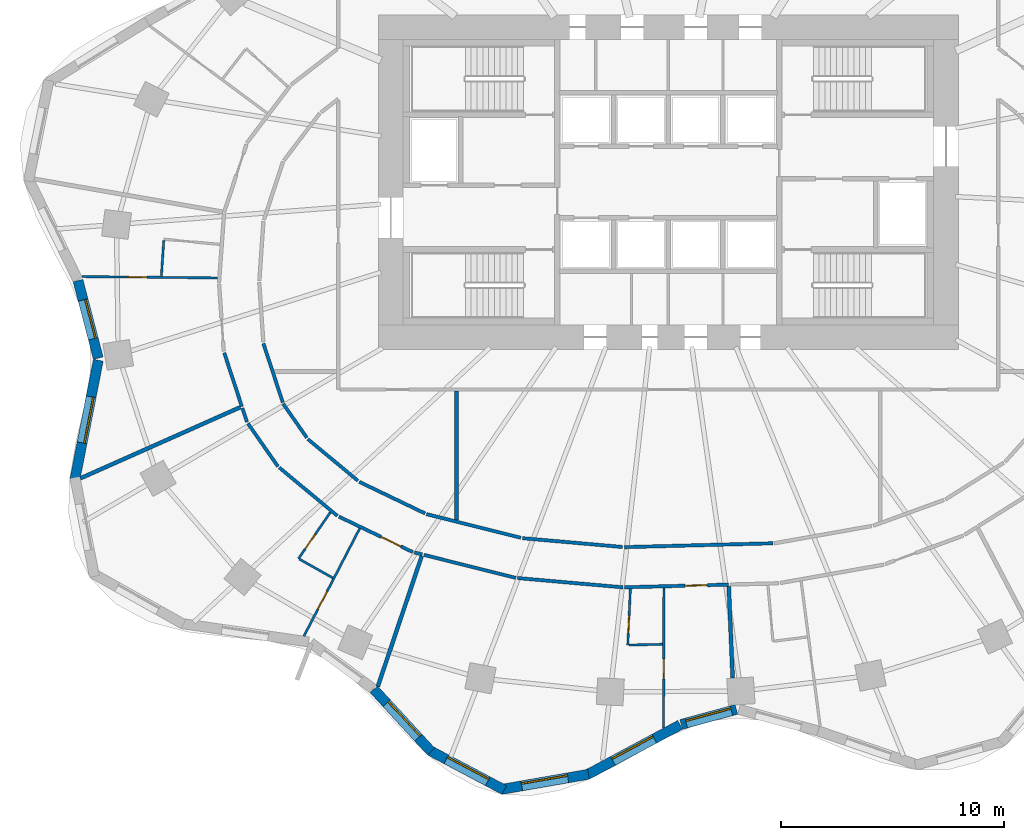
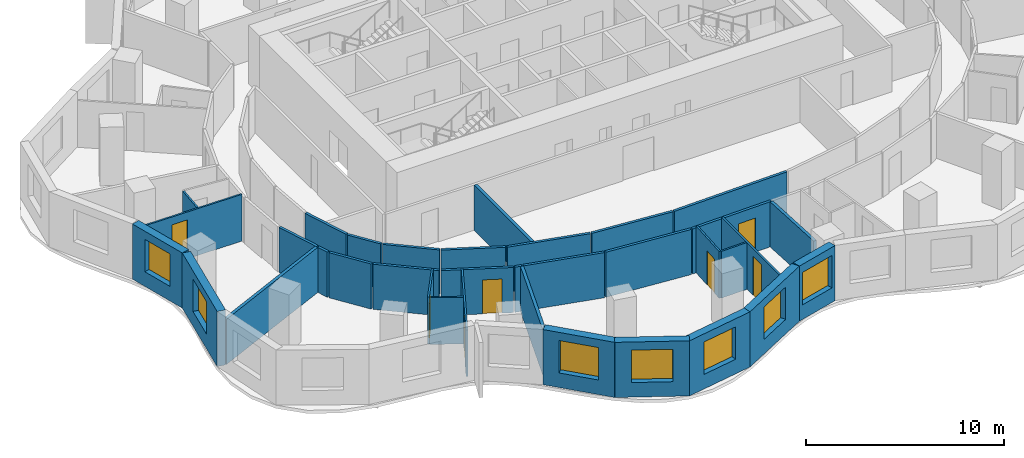
# One storey, part 3 of 10: 35 walls, 7 doors, 7 windows, 14 openings.
"""IFC4 building model written with IfcOpenShell, lengths in metres."""

from ifc_helpers import new_model, si_unit, direction, frame, frame_2d, origin, place, context, subcontext, project, spatial, rectangle, extrude, material, layer, layer_set, type_object, element, fill, save


model = new_model("IFC4")

# Units and contexts
model_context = context("Model", 3, precision=1e-05, world=origin(), true_north=direction((0.0, 1.0)))
body_context = subcontext(model_context, "Body", "Model", "MODEL_VIEW")
ifc_project = project(units=[si_unit("LENGTHUNIT", "METRE"), si_unit("AREAUNIT", "SQUARE_METRE"), si_unit("VOLUMEUNIT", "CUBIC_METRE"), si_unit("PLANEANGLEUNIT", "RADIAN"), si_unit("MASSUNIT", "GRAM", prefix="KILO")], contexts=[model_context])

# Site, building, storey
site_placement = place(None, origin())
site = spatial("IfcSite", under=ifc_project, at=site_placement, CompositionType="ELEMENT")
building_placement = place(site_placement, origin())
building = spatial("IfcBuilding", under=site, at=building_placement, Name="Rubra Terraces Tower", CompositionType="ELEMENT")
storey_placement = place(building_placement, frame((0.0, 0.0, 92.39990234375)))
storey = spatial("IfcBuildingStorey", under=building, at=storey_placement, Name="L21", CompositionType="ELEMENT", Elevation=92.39990234375)

# Walls
ifc_material_1 = material(Name="Twin plasterboard on staggered steel stud, acoustic mineral wool", Category="steel")
ifc_layer_1 = layer(ifc_material_1, 0.175048828125)
ifc_layer_set_1 = layer_set([ifc_layer_1], Name="Twin plasterboard on staggered steel stud, acoustic mineral wool")
wall_type_1 = type_object("IfcWallType", Name="ACOUSTIC PARTY WALL 175", PredefinedType="PARTITIONING", material=ifc_layer_set_1)
wall_1_placement = place(storey_placement, frame((-26.3671875, -8.789306640625, 0.0), z_axis=(0.0, 0.0, 1.0), x_axis=(0.913674334345, 0.406447057756, 0.0)))
element("IfcWall", 1, at=wall_1_placement, inside=storey, type_object=wall_type_1, Name="PARTITION", PredefinedType="PARTITIONING", context=body_context, shape_type="SweptSolid", body=[
    extrude(rectangle(XDim=7.853759765625, YDim=0.175048828125, at=frame_2d((3.9267578125, 0.0))), origin(), (0.0, 0.0, 1.0), 2.7841796875),
])
wall_2_placement = place(storey_placement, frame((-13.024169921875, -18.112060546875, 0.0), z_axis=(0.0, 0.0, 1.0), x_axis=(0.319078434674, 0.947728311556, 0.0)))
element("IfcWall", 2, at=wall_2_placement, inside=storey, type_object=wall_type_1, Name="PARTITION", PredefinedType="PARTITIONING", context=body_context, shape_type="SweptSolid", body=[
    extrude(rectangle(XDim=6.163330078125, YDim=0.175048828125, at=frame_2d((3.08154296875, 0.0))), origin(), (0.0, 0.0, 1.0), 2.7841796875),
])
wall_3_placement = place(storey_placement, frame((2.88232421875, -17.732177734375, 0.0), z_axis=(0.0, 0.0, 1.0), x_axis=(-0.042001196053, 0.999117560415, 0.0)))
element("IfcWall", 3, at=wall_3_placement, inside=storey, type_object=wall_type_1, Name="PARTITION", PredefinedType="PARTITIONING", context=body_context, shape_type="SweptSolid", body=[
    extrude(rectangle(XDim=4.109619140625, YDim=0.175048828125, at=frame_2d((2.0546875, 0.0))), origin(), (0.0, 0.0, 1.0), 2.7841796875),
])
wall_4_placement = place(storey_placement, frame((-9.5, -10.653564453125, 0.0), z_axis=(0.0, 0.0, 1.0), x_axis=(0.0, 1.0, 0.0)))
element("IfcWall", 4, at=wall_4_placement, inside=storey, type_object=wall_type_1, Name="PARTITION", PredefinedType="PARTITIONING", context=body_context, shape_type="SweptSolid", body=[
    extrude(rectangle(XDim=5.778564453125, YDim=0.175048828125, at=frame_2d((2.88916015625, 0.0))), origin(), (0.0, 0.0, 1.0), 2.7841796875),
])

# Wall, opening, window
ifc_material_2 = material(Name="Brick masonry red-brown", Category="masonry")
ifc_layer_2 = layer(ifc_material_2, 0.449951171875)
ifc_layer_set_2 = layer_set([ifc_layer_2], Name="Brick masonry red-brown")
wall_type_2 = type_object("IfcWallType", Name="Brick facade wall 450", PredefinedType="SOLIDWALL", material=ifc_layer_set_2)
wall_5_placement = place(storey_placement, frame((-26.469482421875, 0.0791015625, 0.0), z_axis=(0.0, 0.0, 1.0), x_axis=(0.252446779859, -0.967610780913, 0.0)))
wall_5 = element("IfcWall", 5, at=wall_5_placement, inside=storey, type_object=wall_type_2, Name="Facade wall L21 bay 21", PredefinedType="SOLIDWALL", context=body_context, shape_type="SweptSolid", body=[
    extrude(rectangle(XDim=3.5947265625, YDim=0.449951171875, at=frame_2d((1.79736328125, 0.0))), origin(), (0.0, 0.0, 1.0), 3.400146484375),
])
opening_1_placement = place(wall_5_placement, frame((0.897216796875, 0.0, 0.89990234375)))
opening_1 = element("IfcOpeningElement", 6, at=opening_1_placement, cuts=wall_5, Name="Opening W6", PredefinedType="OPENING", context=body_context, shape_type="SweptSolid", body=[
    extrude(rectangle(XDim=1.800048828125, YDim=2.0, at=frame_2d((0.89990234375, 1.0))), frame((0.0, 0.23486328125, 0.0), z_axis=(0.0, -1.0, 0.0), x_axis=(1.0, 0.0, 0.0)), (0.0, 0.0, 1.0), 0.469970703125),
])
ifc_material_3 = material(Name="Clear glass in aluminium frame", Category="aluminium")
window_type_1 = type_object("IfcWindowType", Name="Fixed deep-set window at wind fin 1800 x 2000", PartitioningType="SINGLE_PANEL", PredefinedType="WINDOW", material=ifc_material_3)
window_1_placement = place(opening_1_placement, origin())
window_1 = element("IfcWindow", 7, at=window_1_placement, inside=storey, type_object=window_type_1, Name="Window L21 bay 21", OverallHeight=2.0, OverallWidth=1.800048828125, PartitioningType="SINGLE_PANEL", PredefinedType="WINDOW", context=body_context, shape_type="SweptSolid", body=[
    extrude(rectangle(XDim=1.800048828125, YDim=2.0, at=frame_2d((0.89990234375, 1.0))), frame((0.0, 0.135009765625, 0.0), z_axis=(0.0, -1.0, 0.0), x_axis=(1.0, 0.0, 0.0)), (0.0, 0.0, 1.0), 0.06005859375),
])
fill(opening_1, window_1)

wall_6_placement = place(storey_placement, frame((-25.561279296875, -3.490478515625, 0.0), z_axis=(0.0, 0.0, 1.0), x_axis=(-0.192494026297, -0.981298145234, 0.0)))
wall_6 = element("IfcWall", 8, at=wall_6_placement, inside=storey, type_object=wall_type_2, Name="Facade wall L21 bay 22", PredefinedType="SOLIDWALL", context=body_context, shape_type="SweptSolid", body=[
    extrude(rectangle(XDim=5.446044921875, YDim=0.449951171875, at=frame_2d((2.72314453125, 0.0))), origin(), (0.0, 0.0, 1.0), 3.400146484375),
])
opening_2_placement = place(wall_6_placement, frame((1.673095703125, 0.0, 0.89990234375)))
opening_2 = element("IfcOpeningElement", 9, at=opening_2_placement, cuts=wall_6, Name="Opening W1", PredefinedType="OPENING", context=body_context, shape_type="SweptSolid", body=[
    extrude(rectangle(XDim=2.10009765625, YDim=2.0, at=frame_2d((1.050048828125, 1.0))), frame((0.0, 0.23486328125, 0.0), z_axis=(0.0, -1.0, 0.0), x_axis=(1.0, 0.0, 0.0)), (0.0, 0.0, 1.0), 0.469970703125),
])
window_type_2 = type_object("IfcWindowType", Name="Fixed deep-set window 2100 x 2000", PartitioningType="SINGLE_PANEL", PredefinedType="WINDOW", material=ifc_material_3)
window_2_placement = place(opening_2_placement, origin())
window_2 = element("IfcWindow", 10, at=window_2_placement, inside=storey, type_object=window_type_2, Name="Window L21 bay 22", OverallHeight=2.0, OverallWidth=2.10009765625, PartitioningType="SINGLE_PANEL", PredefinedType="WINDOW", context=body_context, shape_type="SweptSolid", body=[
    extrude(rectangle(XDim=2.10009765625, YDim=2.0, at=frame_2d((1.050048828125, 1.0))), frame((0.0, 0.135009765625, 0.0), z_axis=(0.0, -1.0, 0.0), x_axis=(1.0, 0.0, 0.0)), (0.0, 0.0, 1.0), 0.06005859375),
])
fill(opening_2, window_2)

wall_7_placement = place(storey_placement, frame((-13.20947265625, -18.242919921875, 0.0), z_axis=(0.0, 0.0, 1.0), x_axis=(0.677612152497, -0.735419452278, 0.0)))
wall_7 = element("IfcWall", 11, at=wall_7_placement, inside=storey, type_object=wall_type_2, Name="Facade wall L21 bay 27", PredefinedType="SOLIDWALL", context=body_context, shape_type="SweptSolid", body=[
    extrude(rectangle(XDim=3.796875, YDim=0.449951171875, at=frame_2d((1.8984375, 0.0))), origin(), (0.0, 0.0, 1.0), 3.400146484375),
])
opening_3_placement = place(wall_7_placement, frame((0.848388671875, 0.0, 0.89990234375)))
opening_3 = element("IfcOpeningElement", 12, at=opening_3_placement, cuts=wall_7, Name="Opening W1", PredefinedType="OPENING", context=body_context, shape_type="SweptSolid", body=[
    extrude(rectangle(XDim=2.10009765625, YDim=2.0, at=frame_2d((1.050048828125, 1.0))), frame((0.0, 0.23486328125, 0.0), z_axis=(0.0, -1.0, 0.0), x_axis=(1.0, 0.0, 0.0)), (0.0, 0.0, 1.0), 0.469970703125),
])
window_3_placement = place(opening_3_placement, origin())
window_3 = element("IfcWindow", 13, at=window_3_placement, inside=storey, type_object=window_type_2, Name="Window L21 bay 27", OverallHeight=2.0, OverallWidth=2.10009765625, PartitioningType="SINGLE_PANEL", PredefinedType="WINDOW", context=body_context, shape_type="SweptSolid", body=[
    extrude(rectangle(XDim=2.10009765625, YDim=2.0, at=frame_2d((1.050048828125, 1.0))), frame((0.0, 0.135009765625, 0.0), z_axis=(0.0, -1.0, 0.0), x_axis=(1.0, 0.0, 0.0)), (0.0, 0.0, 1.0), 0.06005859375),
])
fill(opening_3, window_3)

wall_8_placement = place(storey_placement, frame((-10.692626953125, -20.9931640625, 0.0), z_axis=(0.0, 0.0, 1.0), x_axis=(0.883817790726, -0.46783128668, 0.0)))
wall_8 = element("IfcWall", 14, at=wall_8_placement, inside=storey, type_object=wall_type_2, Name="Facade wall L21 bay 28", PredefinedType="SOLIDWALL", context=body_context, shape_type="SweptSolid", body=[
    extrude(rectangle(XDim=3.776611328125, YDim=0.449951171875, at=frame_2d((1.88818359375, 0.0))), origin(), (0.0, 0.0, 1.0), 3.400146484375),
])
opening_4_placement = place(wall_8_placement, frame((0.83837890625, 0.0, 0.89990234375)))
opening_4 = element("IfcOpeningElement", 15, at=opening_4_placement, cuts=wall_8, Name="Opening W1", PredefinedType="OPENING", context=body_context, shape_type="SweptSolid", body=[
    extrude(rectangle(XDim=2.10009765625, YDim=2.0, at=frame_2d((1.050048828125, 1.0))), frame((0.0, 0.23486328125, 0.0), z_axis=(0.0, -1.0, 0.0), x_axis=(1.0, 0.0, 0.0)), (0.0, 0.0, 1.0), 0.469970703125),
])
window_4_placement = place(opening_4_placement, origin())
window_4 = element("IfcWindow", 16, at=window_4_placement, inside=storey, type_object=window_type_2, Name="Window L21 bay 28", OverallHeight=2.0, OverallWidth=2.10009765625, PartitioningType="SINGLE_PANEL", PredefinedType="WINDOW", context=body_context, shape_type="SweptSolid", body=[
    extrude(rectangle(XDim=2.10009765625, YDim=2.0, at=frame_2d((1.050048828125, 1.0))), frame((0.0, 0.135009765625, 0.0), z_axis=(0.0, -1.0, 0.0), x_axis=(1.0, 0.0, 0.0)), (0.0, 0.0, 1.0), 0.06005859375),
])
fill(opening_4, window_4)

wall_9_placement = place(storey_placement, frame((-7.49853515625, -22.7373046875, 0.0), z_axis=(0.0, 0.0, 1.0), x_axis=(0.98521220506, 0.171338585849, 0.0)))
wall_9 = element("IfcWall", 17, at=wall_9_placement, inside=storey, type_object=wall_type_2, Name="Facade wall L21 bay 29", PredefinedType="SOLIDWALL", context=body_context, shape_type="SweptSolid", body=[
    extrude(rectangle(XDim=3.979736328125, YDim=0.449951171875, at=frame_2d((1.98974609375, 0.0))), origin(), (0.0, 0.0, 1.0), 3.400146484375),
])
opening_5_placement = place(wall_9_placement, frame((0.93994140625, 0.0, 0.89990234375)))
opening_5 = element("IfcOpeningElement", 18, at=opening_5_placement, cuts=wall_9, Name="Opening W1", PredefinedType="OPENING", context=body_context, shape_type="SweptSolid", body=[
    extrude(rectangle(XDim=2.10009765625, YDim=2.0, at=frame_2d((1.050048828125, 1.0))), frame((0.0, 0.23486328125, 0.0), z_axis=(0.0, -1.0, 0.0), x_axis=(1.0, 0.0, 0.0)), (0.0, 0.0, 1.0), 0.469970703125),
])
window_5_placement = place(opening_5_placement, origin())
window_5 = element("IfcWindow", 19, at=window_5_placement, inside=storey, type_object=window_type_2, Name="Window L21 bay 29", OverallHeight=2.0, OverallWidth=2.10009765625, PartitioningType="SINGLE_PANEL", PredefinedType="WINDOW", context=body_context, shape_type="SweptSolid", body=[
    extrude(rectangle(XDim=2.10009765625, YDim=2.0, at=frame_2d((1.050048828125, 1.0))), frame((0.0, 0.135009765625, 0.0), z_axis=(0.0, -1.0, 0.0), x_axis=(1.0, 0.0, 0.0)), (0.0, 0.0, 1.0), 0.06005859375),
])
fill(opening_5, window_5)

wall_10_placement = place(storey_placement, frame((-3.6455078125, -22.07861328125, 0.0), z_axis=(0.0, 0.0, 1.0), x_axis=(0.881279133897, 0.472596115259, 0.0)))
wall_10 = element("IfcWall", 20, at=wall_10_placement, inside=storey, type_object=wall_type_2, Name="Facade wall L21 bay 30", PredefinedType="SOLIDWALL", context=body_context, shape_type="SweptSolid", body=[
    extrude(rectangle(XDim=4.736572265625, YDim=0.449951171875, at=frame_2d((2.3681640625, 0.0))), origin(), (0.0, 0.0, 1.0), 3.400146484375),
])
opening_6_placement = place(wall_10_placement, frame((1.318115234375, 0.0, 0.89990234375)))
opening_6 = element("IfcOpeningElement", 21, at=opening_6_placement, cuts=wall_10, Name="Opening W1", PredefinedType="OPENING", context=body_context, shape_type="SweptSolid", body=[
    extrude(rectangle(XDim=2.10009765625, YDim=2.0, at=frame_2d((1.050048828125, 1.0))), frame((0.0, 0.23486328125, 0.0), z_axis=(0.0, -1.0, 0.0), x_axis=(1.0, 0.0, 0.0)), (0.0, 0.0, 1.0), 0.469970703125),
])
window_6_placement = place(opening_6_placement, origin())
window_6 = element("IfcWindow", 22, at=window_6_placement, inside=storey, type_object=window_type_2, Name="Window L21 bay 30", OverallHeight=2.0, OverallWidth=2.10009765625, PartitioningType="SINGLE_PANEL", PredefinedType="WINDOW", context=body_context, shape_type="SweptSolid", body=[
    extrude(rectangle(XDim=2.10009765625, YDim=2.0, at=frame_2d((1.050048828125, 1.0))), frame((0.0, 0.135009765625, 0.0), z_axis=(0.0, -1.0, 0.0), x_axis=(1.0, 0.0, 0.0)), (0.0, 0.0, 1.0), 0.06005859375),
])
fill(opening_6, window_6)

wall_11_placement = place(storey_placement, frame((0.576171875, -19.8212890625, 0.0), z_axis=(0.0, 0.0, 1.0), x_axis=(0.965009398019, 0.262215296532, 0.0)))
wall_11 = element("IfcWall", 23, at=wall_11_placement, inside=storey, type_object=wall_type_2, Name="Facade wall L21 bay 31", PredefinedType="SOLIDWALL", context=body_context, shape_type="SweptSolid", body=[
    extrude(rectangle(XDim=2.565185546875, YDim=0.449951171875, at=frame_2d((1.28271484375, 0.0))), origin(), (0.0, 0.0, 1.0), 3.400146484375),
])
opening_7_placement = place(wall_11_placement, frame((0.232666015625, 0.0, 0.89990234375)))
opening_7 = element("IfcOpeningElement", 24, at=opening_7_placement, cuts=wall_11, Name="Opening W1", PredefinedType="OPENING", context=body_context, shape_type="SweptSolid", body=[
    extrude(rectangle(XDim=2.10009765625, YDim=2.0, at=frame_2d((1.050048828125, 1.0))), frame((0.0, 0.23486328125, 0.0), z_axis=(0.0, -1.0, 0.0), x_axis=(1.0, 0.0, 0.0)), (0.0, 0.0, 1.0), 0.469970703125),
])
window_7_placement = place(opening_7_placement, origin())
window_7 = element("IfcWindow", 25, at=window_7_placement, inside=storey, type_object=window_type_2, Name="Window L21 bay 31", OverallHeight=2.0, OverallWidth=2.10009765625, PartitioningType="SINGLE_PANEL", PredefinedType="WINDOW", context=body_context, shape_type="SweptSolid", body=[
    extrude(rectangle(XDim=2.10009765625, YDim=2.0, at=frame_2d((1.050048828125, 1.0))), frame((0.0, 0.135009765625, 0.0), z_axis=(0.0, -1.0, 0.0), x_axis=(1.0, 0.0, 0.0)), (0.0, 0.0, 1.0), 0.06005859375),
])
fill(opening_7, window_7)

# Walls
ifc_material_4 = material(Name="Plasterboard on steel stud, mineral wool infill", Category="steel")
ifc_layer_3 = layer(ifc_material_4, 0.14990234375)
ifc_layer_set_3 = layer_set([ifc_layer_3], Name="Plasterboard on steel stud, mineral wool infill")
wall_type_3 = type_object("IfcWallType", Name="CORRIDOR PARTITION 150", PredefinedType="PARTITIONING", material=ifc_layer_set_3)
wall_12_placement = place(storey_placement, frame((-19.914306640625, -3.15673828125, 0.0), z_axis=(0.0, 0.0, 1.0), x_axis=(0.312037873477, -0.950069663507, 0.0)))
element("IfcWall", 26, at=wall_12_placement, inside=storey, type_object=wall_type_3, Name="PARTITION", PredefinedType="PARTITIONING", context=body_context, shape_type="SweptSolid", body=[
    extrude(rectangle(XDim=2.53662109375, YDim=0.14990234375, at=frame_2d((1.268310546875, 0.0))), origin(), (0.0, 0.0, 1.0), 2.7841796875),
])
wall_13_placement = place(storey_placement, frame((-19.099365234375, -5.637939453125, 0.0), z_axis=(0.0, 0.0, 1.0), x_axis=(0.312220223489, -0.950009753657, 0.0)))
element("IfcWall", 27, at=wall_13_placement, inside=storey, type_object=wall_type_3, Name="PARTITION", PredefinedType="PARTITIONING", context=body_context, shape_type="SweptSolid", body=[
    extrude(rectangle(XDim=0.658447265625, YDim=0.14990234375, at=frame_2d((0.3291015625, 0.0))), origin(), (0.0, 0.0, 1.0), 2.7841796875),
])
wall_14_placement = place(storey_placement, frame((-18.85107421875, -6.324951171875, 0.0), z_axis=(0.0, 0.0, 1.0), x_axis=(0.572090775968, -0.820190309656, 0.0)))
element("IfcWall", 28, at=wall_14_placement, inside=storey, type_object=wall_type_3, Name="PARTITION", PredefinedType="PARTITIONING", context=body_context, shape_type="SweptSolid", body=[
    extrude(rectangle(XDim=2.354736328125, YDim=0.14990234375, at=frame_2d((1.17724609375, 0.0))), origin(), (0.0, 0.0, 1.0), 2.7841796875),
])
wall_15_placement = place(storey_placement, frame((-17.4462890625, -8.30419921875, 0.0), z_axis=(0.0, 0.0, 1.0), x_axis=(0.769200174495, -0.639007896318, 0.0)))
element("IfcWall", 29, at=wall_15_placement, inside=storey, type_object=wall_type_3, Name="PARTITION", PredefinedType="PARTITIONING", context=body_context, shape_type="SweptSolid", body=[
    extrude(rectangle(XDim=3.390380859375, YDim=0.14990234375, at=frame_2d((1.6953125, 0.0))), origin(), (0.0, 0.0, 1.0), 2.7841796875),
])

# Wall, opening, door
wall_16_placement = place(storey_placement, frame((-14.77099609375, -10.50341796875, 0.0), z_axis=(0.0, 0.0, 1.0), x_axis=(0.901503349553, -0.432772123346, 0.0)))
wall_16 = element("IfcWall", 30, at=wall_16_placement, inside=storey, type_object=wall_type_3, Name="PARTITION", PredefinedType="PARTITIONING", context=body_context, shape_type="SweptSolid", body=[
    extrude(rectangle(XDim=3.673095703125, YDim=0.14990234375, at=frame_2d((1.83642578125, 0.0))), origin(), (0.0, 0.0, 1.0), 2.7841796875),
])
opening_8_placement = place(wall_16_placement, frame((2.092041015625, 0.0, 0.0)))
opening_8 = element("IfcOpeningElement", 31, at=opening_8_placement, cuts=wall_16, Name="Opening 21-114", PredefinedType="OPENING", context=body_context, shape_type="SweptSolid", body=[
    extrude(rectangle(XDim=1.0, YDim=2.10009765625, at=frame_2d((0.5, 1.050048828125))), frame((0.0, 0.0849609375, 0.0), z_axis=(0.0, -1.0, 0.0), x_axis=(1.0, 0.0, 0.0)), (0.0, 0.0, 1.0), 0.169921875),
])
ifc_material_5 = material(Name="Painted timber door leaf", Category="wood")
door_type_1 = type_object("IfcDoorType", Name="ROOM DOOR 1000 X 2100", OperationType="SINGLE_SWING_LEFT", PredefinedType="DOOR", material=ifc_material_5)
door_1_placement = place(opening_8_placement, origin())
door_1 = element("IfcDoor", 32, at=door_1_placement, inside=storey, type_object=door_type_1, Name="DOOR 21-114", OperationType="SINGLE_SWING_RIGHT", OverallHeight=2.10009765625, OverallWidth=1.0, PredefinedType="DOOR", context=body_context, shape_type="SweptSolid", body=[
    extrude(rectangle(XDim=1.0, YDim=2.10009765625, at=frame_2d((0.5, 1.050048828125))), frame((0.0, 0.02490234375, 0.0), z_axis=(0.0, -1.0, 0.0), x_axis=(1.0, 0.0, 0.0)), (0.0, 0.0, 1.0), 0.050048828125),
])
fill(opening_8, door_1)

# Walls
wall_17_placement = place(storey_placement, frame((-11.386962890625, -12.111328125, 0.0), z_axis=(0.0, 0.0, 1.0), x_axis=(0.969945028314, -0.243324150157, 0.0)))
element("IfcWall", 33, at=wall_17_placement, inside=storey, type_object=wall_type_3, Name="PARTITION", PredefinedType="PARTITIONING", context=body_context, shape_type="SweptSolid", body=[
    extrude(rectangle(XDim=0.3642578125, YDim=0.14990234375, at=frame_2d((0.18212890625, 0.0))), origin(), (0.0, 0.0, 1.0), 2.7841796875),
])
wall_18_placement = place(storey_placement, frame((-10.961181640625, -12.218017578125, 0.0), z_axis=(0.0, 0.0, 1.0), x_axis=(0.969990045386, -0.243144631551, 0.0)))
element("IfcWall", 34, at=wall_18_placement, inside=storey, type_object=wall_type_3, Name="PARTITION", PredefinedType="PARTITIONING", context=body_context, shape_type="SweptSolid", body=[
    extrude(rectangle(XDim=4.244384765625, YDim=0.14990234375, at=frame_2d((2.1220703125, 0.0))), origin(), (0.0, 0.0, 1.0), 2.7841796875),
])
wall_19_placement = place(storey_placement, frame((-6.76953125, -13.256591796875, 0.0), z_axis=(0.0, 0.0, 1.0), x_axis=(0.996139758015, -0.08778144737, 0.0)))
element("IfcWall", 35, at=wall_19_placement, inside=storey, type_object=wall_type_3, Name="PARTITION", PredefinedType="PARTITIONING", context=body_context, shape_type="SweptSolid", body=[
    extrude(rectangle(XDim=4.755859375, YDim=0.14990234375, at=frame_2d((2.3779296875, 0.0))), origin(), (0.0, 0.0, 1.0), 2.7841796875),
])

# Wall, opening, door
wall_20_placement = place(storey_placement, frame((-1.95703125, -13.672119140625, 0.0), z_axis=(0.0, 0.0, 1.0), x_axis=(0.999664413823, 0.025904820691, 0.0)))
wall_20 = element("IfcWall", 36, at=wall_20_placement, inside=storey, type_object=wall_type_3, Name="PARTITION", PredefinedType="PARTITIONING", context=body_context, shape_type="SweptSolid", body=[
    extrude(rectangle(XDim=4.6650390625, YDim=0.14990234375, at=frame_2d((2.33251953125, 0.0))), origin(), (0.0, 0.0, 1.0), 2.7841796875),
])
opening_9_placement = place(wall_20_placement, frame((2.7119140625, 0.0, 0.0)))
opening_9 = element("IfcOpeningElement", 37, at=opening_9_placement, cuts=wall_20, Name="Opening 21-117", PredefinedType="OPENING", context=body_context, shape_type="SweptSolid", body=[
    extrude(rectangle(XDim=1.0, YDim=2.10009765625, at=frame_2d((0.5, 1.050048828125))), frame((0.0, 0.0849609375, 0.0), z_axis=(0.0, -1.0, 0.0), x_axis=(1.0, 0.0, 0.0)), (0.0, 0.0, 1.0), 0.169921875),
])
door_2_placement = place(opening_9_placement, origin())
door_2 = element("IfcDoor", 38, at=door_2_placement, inside=storey, type_object=door_type_1, Name="DOOR 21-117", OperationType="SINGLE_SWING_RIGHT", OverallHeight=2.10009765625, OverallWidth=1.0, PredefinedType="DOOR", context=body_context, shape_type="SweptSolid", body=[
    extrude(rectangle(XDim=1.0, YDim=2.10009765625, at=frame_2d((0.5, 1.050048828125))), frame((0.0, 0.02490234375, 0.0), z_axis=(0.0, -1.0, 0.0), x_axis=(1.0, 0.0, 0.0)), (0.0, 0.0, 1.0), 0.050048828125),
])
fill(opening_9, door_2)

# Walls
wall_21_placement = place(storey_placement, frame((4.684326171875, -11.69921875, 0.0), z_axis=(0.0, 0.0, 1.0), x_axis=(-0.999663438204, -0.025942442425, 0.0)))
element("IfcWall", 39, at=wall_21_placement, inside=storey, type_object=wall_type_3, Name="PARTITION", PredefinedType="PARTITIONING", context=body_context, shape_type="SweptSolid", body=[
    extrude(rectangle(XDim=6.662841796875, YDim=0.14990234375, at=frame_2d((3.33154296875, 0.0))), origin(), (0.0, 0.0, 1.0), 2.7841796875),
])
wall_22_placement = place(storey_placement, frame((-2.05078125, -11.865478515625, 0.0), z_axis=(0.0, 0.0, 1.0), x_axis=(-0.996139599493, 0.087783246245, 0.0)))
element("IfcWall", 40, at=wall_22_placement, inside=storey, type_object=wall_type_3, Name="PARTITION", PredefinedType="PARTITIONING", context=body_context, shape_type="SweptSolid", body=[
    extrude(rectangle(XDim=4.510986328125, YDim=0.14990234375, at=frame_2d((2.25537109375, 0.0))), origin(), (0.0, 0.0, 1.0), 2.7841796875),
])
wall_23_placement = place(storey_placement, frame((-6.6171875, -11.451416015625, 0.0), z_axis=(0.0, 0.0, 1.0), x_axis=(-0.969987441267, 0.243155020069, 0.0)))
element("IfcWall", 41, at=wall_23_placement, inside=storey, type_object=wall_type_3, Name="PARTITION", PredefinedType="PARTITIONING", context=body_context, shape_type="SweptSolid", body=[
    extrude(rectangle(XDim=4.358642578125, YDim=0.14990234375, at=frame_2d((2.17919921875, 0.0))), origin(), (0.0, 0.0, 1.0), 2.7841796875),
])
wall_24_placement = place(storey_placement, frame((-10.91259765625, -10.35888671875, 0.0), z_axis=(0.0, 0.0, 1.0), x_axis=(-0.90149741277, 0.432784489982, 0.0)))
element("IfcWall", 42, at=wall_24_placement, inside=storey, type_object=wall_type_3, Name="PARTITION", PredefinedType="PARTITIONING", context=body_context, shape_type="SweptSolid", body=[
    extrude(rectangle(XDim=3.2685546875, YDim=0.14990234375, at=frame_2d((1.63427734375, 0.0))), origin(), (0.0, 0.0, 1.0), 2.7841796875),
])
wall_25_placement = place(storey_placement, frame((-13.916748046875, -8.896484375, 0.0), z_axis=(0.0, 0.0, 1.0), x_axis=(-0.769130409479, 0.639091866021, 0.0)))
element("IfcWall", 43, at=wall_25_placement, inside=storey, type_object=wall_type_3, Name="PARTITION", PredefinedType="PARTITIONING", context=body_context, shape_type="SweptSolid", body=[
    extrude(rectangle(XDim=2.925048828125, YDim=0.14990234375, at=frame_2d((1.46240234375, 0.0))), origin(), (0.0, 0.0, 1.0), 2.7841796875),
])
wall_26_placement = place(storey_placement, frame((-16.20947265625, -6.9658203125, 0.0), z_axis=(0.0, 0.0, 1.0), x_axis=(-0.572051367607, 0.820217795966, 0.0)))
element("IfcWall", 44, at=wall_26_placement, inside=storey, type_object=wall_type_3, Name="PARTITION", PredefinedType="PARTITIONING", context=body_context, shape_type="SweptSolid", body=[
    extrude(rectangle(XDim=1.84765625, YDim=0.14990234375, at=frame_2d((0.923828125, 0.0))), origin(), (0.0, 0.0, 1.0), 2.7841796875),
])
wall_27_placement = place(storey_placement, frame((-17.289794921875, -5.379150390625, 0.0), z_axis=(0.0, 0.0, 1.0), x_axis=(-0.312009486843, 0.950078986253, 0.0)))
element("IfcWall", 45, at=wall_27_placement, inside=storey, type_object=wall_type_3, Name="PARTITION", PredefinedType="PARTITIONING", context=body_context, shape_type="SweptSolid", body=[
    extrude(rectangle(XDim=2.780029296875, YDim=0.14990234375, at=frame_2d((1.39013671875, 0.0))), origin(), (0.0, 0.0, 1.0), 2.7841796875),
])

# Wall, opening, door
ifc_material_6 = material(Name="Plasterboard on steel stud", Category="steel")
ifc_layer_4 = layer(ifc_material_6, 0.10009765625)
ifc_layer_set_4 = layer_set([ifc_layer_4], Name="Plasterboard on steel stud")
wall_type_4 = type_object("IfcWallType", Name="ROOM PARTITION 100", PredefinedType="PARTITIONING", material=ifc_layer_set_4)
wall_28_placement = place(storey_placement, frame((-26.300537109375, 0.26025390625, 0.0), z_axis=(0.0, 0.0, 1.0), x_axis=(0.999951380923, -0.009860820962, 0.0)))
wall_28 = element("IfcWall", 46, at=wall_28_placement, inside=storey, type_object=wall_type_4, Name="PARTITION", PredefinedType="PARTITIONING", context=body_context, shape_type="SweptSolid", body=[
    extrude(rectangle(XDim=6.090576171875, YDim=0.10009765625, at=frame_2d((3.04541015625, 0.0))), origin(), (0.0, 0.0, 1.0), 2.884033203125),
])
opening_10_placement = place(wall_28_placement, frame((2.01611328125, 0.0, 0.0)))
opening_10 = element("IfcOpeningElement", 47, at=opening_10_placement, cuts=wall_28, Name="Opening 21-110", PredefinedType="OPENING", context=body_context, shape_type="SweptSolid", body=[
    extrude(rectangle(XDim=0.89990234375, YDim=2.39990234375, at=frame_2d((0.449951171875, 1.199951171875))), frame((0.0, 0.06005859375, 0.0), z_axis=(0.0, -1.0, 0.0), x_axis=(1.0, 0.0, 0.0)), (0.0, 0.0, 1.0), 0.1201171875),
])
ifc_material_7 = material(Name="Veneered timber door leaf, fire-rated", Category="wood")
door_type_2 = type_object("IfcDoorType", Name="SUITE ENTRANCE DOOR 900 X 2400", OperationType="SINGLE_SWING_LEFT", PredefinedType="DOOR", material=ifc_material_7)
door_3_placement = place(opening_10_placement, origin())
door_3 = element("IfcDoor", 48, at=door_3_placement, inside=storey, type_object=door_type_2, Name="DOOR 21-110", OperationType="SINGLE_SWING_LEFT", OverallHeight=2.39990234375, OverallWidth=0.89990234375, PredefinedType="DOOR", context=body_context, shape_type="SweptSolid", body=[
    extrude(rectangle(XDim=0.89990234375, YDim=2.39990234375, at=frame_2d((0.449951171875, 1.199951171875))), frame((0.0, 0.02490234375, 0.0), z_axis=(0.0, -1.0, 0.0), x_axis=(1.0, 0.0, 0.0)), (0.0, 0.0, 1.0), 0.050048828125),
])
fill(opening_10, door_3)

# Wall
wall_29_placement = place(storey_placement, frame((-22.625, 1.88623046875, 0.0), z_axis=(0.0, 0.0, 1.0), x_axis=(-0.066067458236, -0.997815158715, 0.0)))
element("IfcWall", 49, at=wall_29_placement, inside=storey, type_object=wall_type_4, Name="PARTITION", PredefinedType="PARTITIONING", context=body_context, shape_type="SweptSolid", body=[
    extrude(rectangle(XDim=1.61474609375, YDim=0.10009765625, at=frame_2d((0.807373046875, 0.0))), origin(), (0.0, 0.0, 1.0), 2.884033203125),
])

# Wall, opening, door
wall_30_placement = place(storey_placement, frame((-16.341064453125, -15.8623046875, 0.0), z_axis=(0.0, 0.0, 1.0), x_axis=(0.460149427678, 0.887841485969, 0.0)))
wall_30 = element("IfcWall", 50, at=wall_30_placement, inside=storey, type_object=wall_type_4, Name="PARTITION", PredefinedType="PARTITIONING", context=body_context, shape_type="SweptSolid", body=[
    extrude(rectangle(XDim=5.438232421875, YDim=0.10009765625, at=frame_2d((2.71923828125, 0.0))), origin(), (0.0, 0.0, 1.0), 2.884033203125),
])
opening_11_placement = place(wall_30_placement, frame((1.363037109375, 0.0, 0.0)))
opening_11 = element("IfcOpeningElement", 51, at=opening_11_placement, cuts=wall_30, Name="Opening 21-113", PredefinedType="OPENING", context=body_context, shape_type="SweptSolid", body=[
    extrude(rectangle(XDim=0.89990234375, YDim=2.39990234375, at=frame_2d((0.449951171875, 1.199951171875))), frame((0.0, 0.06005859375, 0.0), z_axis=(0.0, -1.0, 0.0), x_axis=(1.0, 0.0, 0.0)), (0.0, 0.0, 1.0), 0.1201171875),
])
door_4_placement = place(opening_11_placement, origin())
door_4 = element("IfcDoor", 52, at=door_4_placement, inside=storey, type_object=door_type_2, Name="DOOR 21-113", OperationType="SINGLE_SWING_LEFT", OverallHeight=2.39990234375, OverallWidth=0.89990234375, PredefinedType="DOOR", context=body_context, shape_type="SweptSolid", body=[
    extrude(rectangle(XDim=0.89990234375, YDim=2.39990234375, at=frame_2d((0.449951171875, 1.199951171875))), frame((0.0, 0.02490234375, 0.0), z_axis=(0.0, -1.0, 0.0), x_axis=(1.0, 0.0, 0.0)), (0.0, 0.0, 1.0), 0.050048828125),
])
fill(opening_11, door_4)

wall_31_placement = place(storey_placement, frame((-15.15234375, -10.30712890625, 0.0), z_axis=(0.0, 0.0, 1.0), x_axis=(-0.567242581317, -0.823550759784, 0.0)))
wall_31 = element("IfcWall", 53, at=wall_31_placement, inside=storey, type_object=wall_type_4, Name="PARTITION", PredefinedType="PARTITIONING", context=body_context, shape_type="SweptSolid", body=[
    extrude(rectangle(XDim=2.525146484375, YDim=0.10009765625, at=frame_2d((1.2626953125, 0.0))), origin(), (0.0, 0.0, 1.0), 2.884033203125),
])
opening_12_placement = place(wall_31_placement, frame((1.199951171875, 0.0, 0.0)))
opening_12 = element("IfcOpeningElement", 54, at=opening_12_placement, cuts=wall_31, Name="Opening 21-112", PredefinedType="OPENING", context=body_context, shape_type="SweptSolid", body=[
    extrude(rectangle(XDim=0.800048828125, YDim=2.10009765625, at=frame_2d((0.39990234375, 1.050048828125))), frame((0.0, 0.06005859375, 0.0), z_axis=(0.0, -1.0, 0.0), x_axis=(1.0, 0.0, 0.0)), (0.0, 0.0, 1.0), 0.1201171875),
])
door_type_3 = type_object("IfcDoorType", Name="BATHROOM DOOR 800 X 2100", OperationType="SINGLE_SWING_LEFT", PredefinedType="DOOR", material=ifc_material_5)
door_5_placement = place(opening_12_placement, origin())
door_5 = element("IfcDoor", 55, at=door_5_placement, inside=storey, type_object=door_type_3, Name="DOOR 21-112", OperationType="SINGLE_SWING_LEFT", OverallHeight=2.10009765625, OverallWidth=0.800048828125, PredefinedType="DOOR", context=body_context, shape_type="SweptSolid", body=[
    extrude(rectangle(XDim=0.800048828125, YDim=2.10009765625, at=frame_2d((0.39990234375, 1.050048828125))), frame((0.0, 0.02490234375, 0.0), z_axis=(0.0, -1.0, 0.0), x_axis=(1.0, 0.0, 0.0)), (0.0, 0.0, 1.0), 0.050048828125),
])
fill(opening_12, door_5)

# Wall
wall_32_placement = place(storey_placement, frame((-16.541015625, -12.4111328125, 0.0), z_axis=(0.0, 0.0, 1.0), x_axis=(0.872042364088, -0.489430398765, 0.0)))
element("IfcWall", 56, at=wall_32_placement, inside=storey, type_object=wall_type_4, Name="PARTITION", PredefinedType="PARTITIONING", context=body_context, shape_type="SweptSolid", body=[
    extrude(rectangle(XDim=1.716552734375, YDim=0.10009765625, at=frame_2d((0.8583984375, 0.0))), origin(), (0.0, 0.0, 1.0), 2.884033203125),
])

# Wall, opening, door
wall_33_placement = place(storey_placement, frame((-0.21435546875, -19.978759765625, 0.0), z_axis=(0.0, 0.0, 1.0), x_axis=(0.002333625165, 0.999997277093, 0.0)))
wall_33 = element("IfcWall", 57, at=wall_33_placement, inside=storey, type_object=wall_type_4, Name="PARTITION", PredefinedType="PARTITIONING", context=body_context, shape_type="SweptSolid", body=[
    extrude(rectangle(XDim=6.277099609375, YDim=0.10009765625, at=frame_2d((3.138671875, 0.0))), origin(), (0.0, 0.0, 1.0), 2.884033203125),
])
opening_13_placement = place(wall_33_placement, frame((2.201904296875, 0.0, 0.0)))
opening_13 = element("IfcOpeningElement", 58, at=opening_13_placement, cuts=wall_33, Name="Opening 21-116", PredefinedType="OPENING", context=body_context, shape_type="SweptSolid", body=[
    extrude(rectangle(XDim=0.89990234375, YDim=2.39990234375, at=frame_2d((0.449951171875, 1.199951171875))), frame((0.0, 0.06005859375, 0.0), z_axis=(0.0, -1.0, 0.0), x_axis=(1.0, 0.0, 0.0)), (0.0, 0.0, 1.0), 0.1201171875),
])
door_6_placement = place(opening_13_placement, origin())
door_6 = element("IfcDoor", 59, at=door_6_placement, inside=storey, type_object=door_type_2, Name="DOOR 21-116", OperationType="SINGLE_SWING_LEFT", OverallHeight=2.39990234375, OverallWidth=0.89990234375, PredefinedType="DOOR", context=body_context, shape_type="SweptSolid", body=[
    extrude(rectangle(XDim=0.89990234375, YDim=2.39990234375, at=frame_2d((0.449951171875, 1.199951171875))), frame((0.0, 0.02490234375, 0.0), z_axis=(0.0, -1.0, 0.0), x_axis=(1.0, 0.0, 0.0)), (0.0, 0.0, 1.0), 0.050048828125),
])
fill(opening_13, door_6)

wall_34_placement = place(storey_placement, frame((-1.702392578125, -13.740478515625, 0.0), z_axis=(0.0, 0.0, 1.0), x_axis=(-0.045833111847, -0.998949110745, 0.0)))
wall_34 = element("IfcWall", 60, at=wall_34_placement, inside=storey, type_object=wall_type_4, Name="PARTITION", PredefinedType="PARTITIONING", context=body_context, shape_type="SweptSolid", body=[
    extrude(rectangle(XDim=2.52490234375, YDim=0.10009765625, at=frame_2d((1.262451171875, 0.0))), origin(), (0.0, 0.0, 1.0), 2.884033203125),
])
opening_14_placement = place(wall_34_placement, frame((1.199951171875, 0.0, 0.0)))
opening_14 = element("IfcOpeningElement", 61, at=opening_14_placement, cuts=wall_34, Name="Opening 21-115", PredefinedType="OPENING", context=body_context, shape_type="SweptSolid", body=[
    extrude(rectangle(XDim=0.800048828125, YDim=2.10009765625, at=frame_2d((0.39990234375, 1.050048828125))), frame((0.0, 0.06005859375, 0.0), z_axis=(0.0, -1.0, 0.0), x_axis=(1.0, 0.0, 0.0)), (0.0, 0.0, 1.0), 0.1201171875),
])
door_7_placement = place(opening_14_placement, origin())
door_7 = element("IfcDoor", 62, at=door_7_placement, inside=storey, type_object=door_type_3, Name="DOOR 21-115", OperationType="SINGLE_SWING_LEFT", OverallHeight=2.10009765625, OverallWidth=0.800048828125, PredefinedType="DOOR", context=body_context, shape_type="SweptSolid", body=[
    extrude(rectangle(XDim=0.800048828125, YDim=2.10009765625, at=frame_2d((0.39990234375, 1.050048828125))), frame((0.0, 0.02490234375, 0.0), z_axis=(0.0, -1.0, 0.0), x_axis=(1.0, 0.0, 0.0)), (0.0, 0.0, 1.0), 0.050048828125),
])
fill(opening_14, door_7)

# Wall
wall_35_placement = place(storey_placement, frame((-1.768310546875, -16.26171875, 0.0), z_axis=(0.0, 0.0, 1.0), x_axis=(0.999748456617, 0.022428185195, 0.0)))
element("IfcWall", 63, at=wall_35_placement, inside=storey, type_object=wall_type_4, Name="PARTITION", PredefinedType="PARTITIONING", context=body_context, shape_type="SweptSolid", body=[
    extrude(rectangle(XDim=1.51318359375, YDim=0.10009765625, at=frame_2d((0.756591796875, 0.0))), origin(), (0.0, 0.0, 1.0), 2.884033203125),
])

save(model, "model.ifc")
